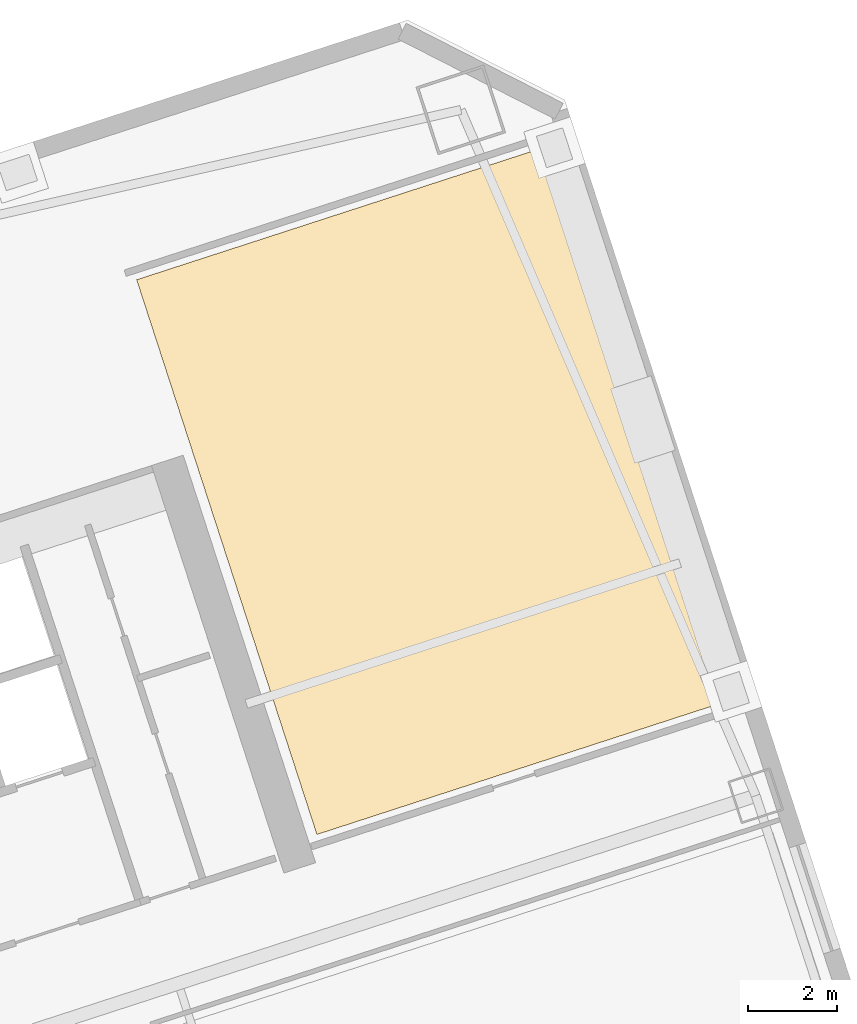
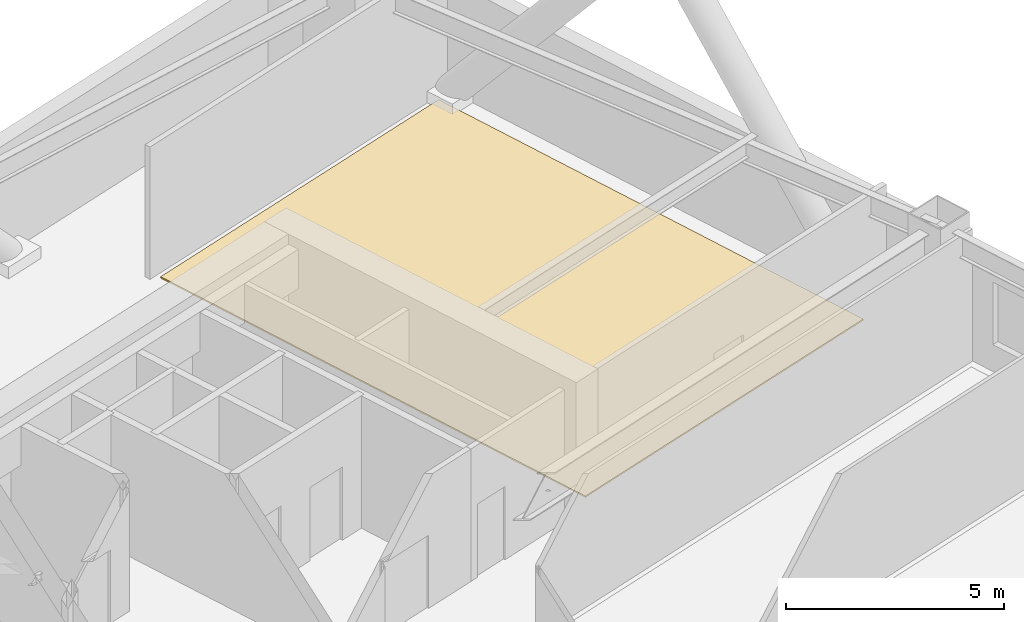
# One storey, part 18 of 18: 1 covering.
"""IFC4 building model written with IfcOpenShell, lengths in metres."""

from ifc_helpers import new_model, si_unit, direction, frame, origin, place, context, subcontext, project, spatial, polyline, outline, extrude, material, layer, layer_set, type_object, element, save


model = new_model("IFC4")

# Units and contexts
model_context = context("Model", 3, precision=1e-05, world=origin(), true_north=direction((0.0, 1.0)))
body_context = subcontext(model_context, "Body", "Model", "MODEL_VIEW")
ifc_project = project(units=[si_unit("LENGTHUNIT", "METRE"), si_unit("AREAUNIT", "SQUARE_METRE"), si_unit("VOLUMEUNIT", "CUBIC_METRE"), si_unit("PLANEANGLEUNIT", "RADIAN"), si_unit("MASSUNIT", "GRAM", prefix="KILO")], contexts=[model_context])

# Site, building, storey
site_placement = place(None, origin())
site = spatial("IfcSite", under=ifc_project, at=site_placement, CompositionType="ELEMENT")
building_placement = place(site_placement, origin())
building = spatial("IfcBuilding", under=site, at=building_placement, Name="Qiaolan Cultural Towers", CompositionType="ELEMENT")
storey_placement = place(building_placement, frame((0.0, 0.0, 42.0)))
storey = spatial("IfcBuildingStorey", under=building, at=storey_placement, Name="L09", CompositionType="ELEMENT", Elevation=42.0)

# Covering
ifc_material = material(Name="Honed Terrazzo & Raised Access Flooring", Category="concrete")
ifc_layer = layer(ifc_material, 0.0400390625)
ifc_layer_set = layer_set([ifc_layer], Name="Honed Terrazzo & Raised Access Flooring")
covering_type = type_object("IfcCoveringType", Name="COV-FLR-STONE", PredefinedType="FLOORING", material=ifc_layer_set)
covering_placement = place(storey_placement, origin())
element("IfcCovering", 1, at=covering_placement, inside=storey, type_object=covering_type, Name="L09 Corner Wellness Consultation Room Finish Flooring", PredefinedType="FLOORING", context=body_context, shape_type="SweptSolid", body=[
    extrude(outline(polyline([(103.965576171875, 50.335205078125), (99.91455078125, 62.803466796875), (90.850830078125, 59.858642578125), (94.902099609375, 47.39013671875), (103.965576171875, 50.335205078125)])), origin(), (0.0, 0.0, 1.0), 0.0400390625),
])

save(model, "model.ifc")
